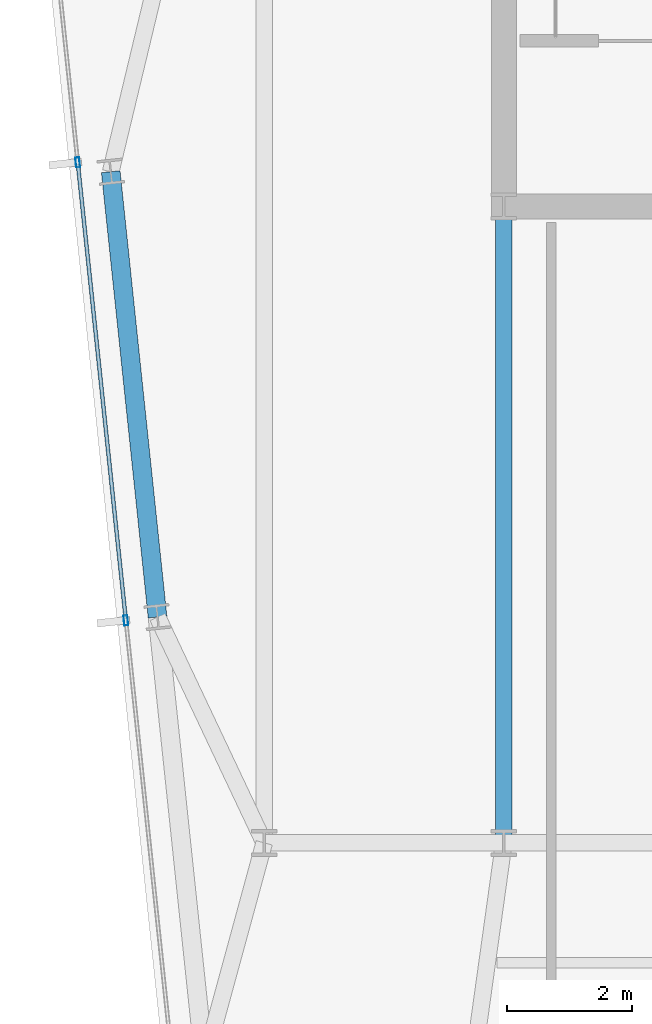
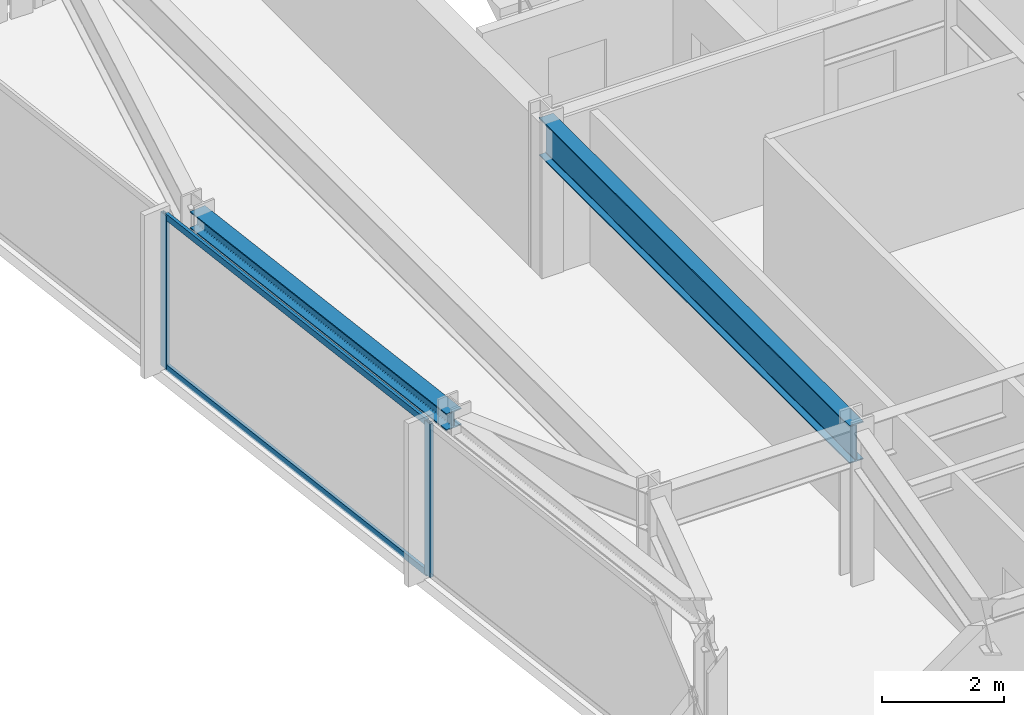
# One storey, part 10 of 32: 4 members, 2 beams, 1 element without a shape of its own.
"""IFC4 building model written with IfcOpenShell, lengths in metres."""

from ifc_helpers import new_model, si_unit, direction, frame, origin, origin_2d, place, context, subcontext, project, spatial, hollow_rectangle, i_section, extrude, material, material_profile, profile_set, type_object, element, aggregate, save


model = new_model("IFC4")

# Units and contexts
model_context = context("Model", 3, precision=1e-05, world=origin(), true_north=direction((0.0, 1.0)))
body_context = subcontext(model_context, "Body", "Model", "MODEL_VIEW")
ifc_project = project(units=[si_unit("LENGTHUNIT", "METRE"), si_unit("AREAUNIT", "SQUARE_METRE"), si_unit("VOLUMEUNIT", "CUBIC_METRE"), si_unit("PLANEANGLEUNIT", "RADIAN"), si_unit("MASSUNIT", "GRAM", prefix="KILO")], contexts=[model_context])

# Site, building, storey
site_placement = place(None, origin())
site = spatial("IfcSite", under=ifc_project, at=site_placement, CompositionType="ELEMENT")
building_placement = place(site_placement, origin())
building = spatial("IfcBuilding", under=site, at=building_placement, Name="Yelkora Congress Tower", CompositionType="ELEMENT")
storey_placement = place(building_placement, frame((0.0, 0.0, 211.10009765625)))
storey = spatial("IfcBuildingStorey", under=building, at=storey_placement, Name="L58", CompositionType="ELEMENT", Elevation=211.10009765625)

# Beams
ifc_material_1 = material(Name="Steel S355J2", Category="steel")
ifc_material_profile_1 = material_profile(ifc_material_1, i_section(OverallWidth=0.26708984375, OverallDepth=0.761962890625, WebThickness=0.014404296875, FlangeThickness=0.021484375, FilletRadius=0.01708984375, at=origin_2d()), Name="IPE 750x173")
ifc_profile_set_1 = profile_set([ifc_material_profile_1], Name="Steel S355J2")
beam_type_1 = type_object("IfcBeamType", Name="BM-GIRD-IPE750", PredefinedType="BEAM", material=ifc_profile_set_1)
beam_1_placement = place(storey_placement, frame((23.0400390625, 25.199951171875, 2.698974609375), z_axis=(0.0, 1.0, 0.0), x_axis=(-1.0, 0.0, 0.0)))
element("IfcBeam", 1, at=beam_1_placement, inside=storey, type_object=beam_type_1, Name="L58 Core Tie Girder MC-D1", PredefinedType="BEAM", context=body_context, shape_type="SweptSolid", body=[
    extrude(i_section(OverallWidth=0.26708984375, OverallDepth=0.761962890625, WebThickness=0.014404296875, FlangeThickness=0.021484375, FilletRadius=0.01708984375, at=origin_2d()), origin(), (0.0, 0.0, 1.0), 10.199951171875),
])
ifc_material_profile_2 = material_profile(ifc_material_1, i_section(OverallWidth=0.300048828125, OverallDepth=0.340087890625, WebThickness=0.011962890625, FlangeThickness=0.021484375, FilletRadius=0.027099609375, at=origin_2d()), Name="HEB 340")
ifc_profile_set_2 = profile_set([ifc_material_profile_2], Name="Steel S355J2")
beam_type_2 = type_object("IfcBeamType", Name="BM-SPAN-HEB340", PredefinedType="SPANDREL", material=ifc_profile_set_2)
beam_2_placement = place(storey_placement, frame((16.7412109375, 35.95458984375, 2.909912109375), z_axis=(0.104528914631, -0.994521847928, 0.0), x_axis=(0.994521847928, 0.104528914631, 0.0)))
element("IfcBeam", 2, at=beam_2_placement, inside=storey, type_object=beam_type_2, Name="L58 Perimeter Beam 17", PredefinedType="SPANDREL", context=body_context, shape_type="SweptSolid", body=[
    extrude(i_section(OverallWidth=0.300048828125, OverallDepth=0.340087890625, WebThickness=0.011962890625, FlangeThickness=0.021484375, FilletRadius=0.027099609375, at=origin_2d()), origin(), (0.0, 0.0, 1.0), 7.175048828125),
])

# Curtain wall, members
ifc_material_2 = material(Name="Anodised aluminium and insulated glass", Category="aluminium")
curtain_wall_type = type_object("IfcCurtainWallType", Name="CW-SYS-B4", PredefinedType="NOTDEFINED", material=ifc_material_2)
curtain_wall_placement = place(storey_placement, origin())
curtain_wall = element("IfcCurtainWall", 3, at=curtain_wall_placement, inside=storey, type_object=curtain_wall_type, Name="L58 Unitised Curtain Wall 5", PredefinedType="NOTDEFINED")
ifc_material_3 = material(Name="Anodised aluminium 6063-T6", Category="aluminium")
ifc_material_profile_3 = material_profile(ifc_material_3, hollow_rectangle(XDim=0.06494140625, YDim=0.159912109375, WallThickness=0.00390625, at=origin_2d()), Name="ALU 65x160x4")
ifc_profile_set_3 = profile_set([ifc_material_profile_3], Name="Anodised aluminium 6063-T6")
member_type_1 = type_object("IfcMemberType", Name="MEM-ML-B4", PredefinedType="MULLION", material=ifc_profile_set_3)
member_1_placement = place(storey_placement, frame((16.98388671875, 28.765625, 0.0), z_axis=(0.0, 0.0, 1.0), x_axis=(-0.994522145958, -0.104526079034, 0.0)))
member_1 = element("IfcMember", 4, at=member_1_placement, type_object=member_type_1, Name="CW-B4 mullion 3", PredefinedType="MULLION", context=body_context, shape_type="SweptSolid", body=[
    extrude(hollow_rectangle(XDim=0.06494140625, YDim=0.159912109375, WallThickness=0.00390625, at=origin_2d()), origin(), (0.0, 0.0, 1.0), 3.079833984375),
])
member_2_placement = place(storey_placement, frame((16.21240234375, 36.105224609375, 0.0), z_axis=(0.0, 0.0, 1.0), x_axis=(-0.994522145958, -0.104526079034, 0.0)))
member_2 = element("IfcMember", 5, at=member_2_placement, type_object=member_type_1, Name="CW-B4 mullion 4", PredefinedType="MULLION", context=body_context, shape_type="SweptSolid", body=[
    extrude(hollow_rectangle(XDim=0.06494140625, YDim=0.159912109375, WallThickness=0.00390625, at=origin_2d()), origin(), (0.0, 0.0, 1.0), 3.079833984375),
])
ifc_material_profile_4 = material_profile(ifc_material_3, hollow_rectangle(XDim=0.06005859375, YDim=0.1298828125, WallThickness=0.00390625, at=origin_2d()), Name="ALU 60x130x4")
ifc_profile_set_4 = profile_set([ifc_material_profile_4], Name="Anodised aluminium 6063-T6")
member_type_2 = type_object("IfcMemberType", Name="MEM-TR-B4", PredefinedType="USERDEFINED", material=ifc_profile_set_4)
member_3_placement = place(storey_placement, frame((16.98046875, 28.7978515625, 0.02978515625), z_axis=(-0.104531896307, 0.994521534535, 0.0), x_axis=(-0.994521534535, -0.104531896307, 0.0)))
member_3 = element("IfcMember", 6, at=member_3_placement, type_object=member_type_2, Name="CW-B4 transom 3.1", ObjectType="TRANSOM", PredefinedType="USERDEFINED", context=body_context, shape_type="SweptSolid", body=[
    extrude(hollow_rectangle(XDim=0.06005859375, YDim=0.1298828125, WallThickness=0.00390625, at=origin_2d()), origin(), (0.0, 0.0, 1.0), 7.31494140625),
])
member_4_placement = place(storey_placement, frame((16.98046875, 28.7978515625, 3.0498046875), z_axis=(-0.104531896307, 0.994521534535, 0.0), x_axis=(-0.994521534535, -0.104531896307, 0.0)))
member_4 = element("IfcMember", 7, at=member_4_placement, type_object=member_type_2, Name="CW-B4 transom 3.2", ObjectType="TRANSOM", PredefinedType="USERDEFINED", context=body_context, shape_type="SweptSolid", body=[
    extrude(hollow_rectangle(XDim=0.06005859375, YDim=0.1298828125, WallThickness=0.00390625, at=origin_2d()), origin(), (0.0, 0.0, 1.0), 7.31494140625),
])
aggregate(curtain_wall, [member_1, member_2, member_3, member_4])

save(model, "model.ifc")
